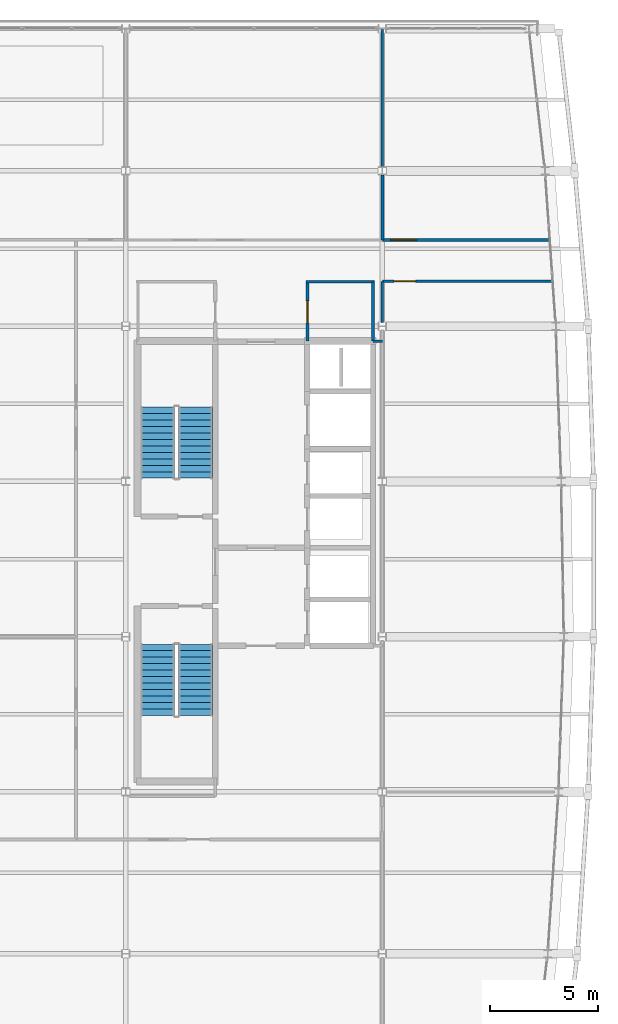
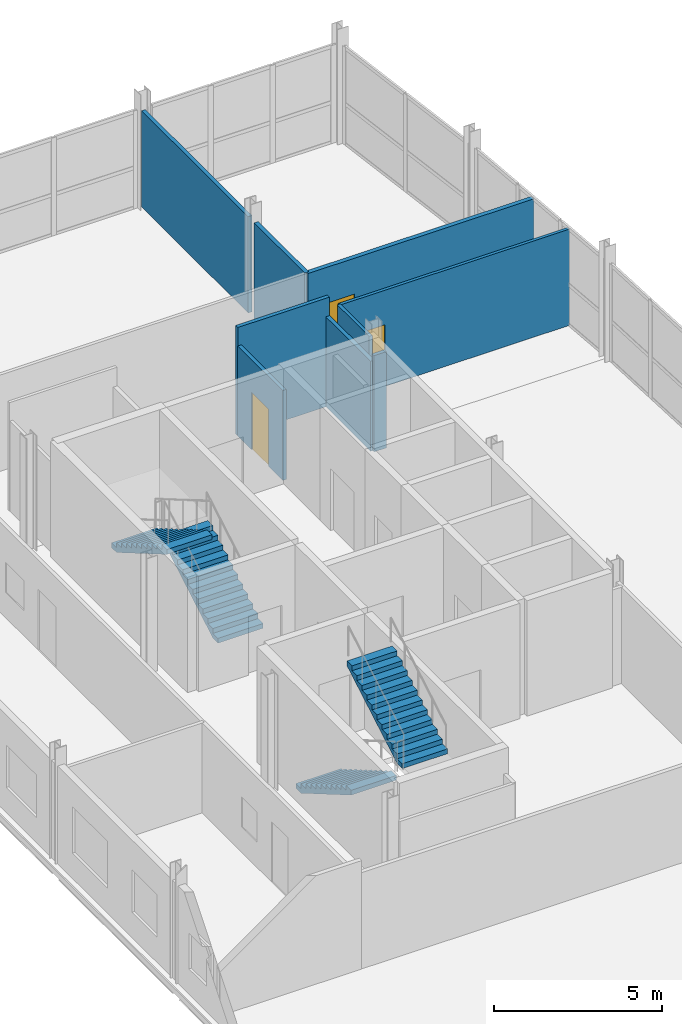
# One storey, part 18 of 23: 9 walls, 4 stair flights, 3 doors, 3 openings, 2 elements without a shape of their own.
"""IFC4 building model written with IfcOpenShell, lengths in metres."""

from ifc_helpers import new_model, si_unit, direction, frame, frame_2d, origin, place, context, subcontext, project, spatial, polyline, rectangle, outline, extrude, material, layer, layer_set, type_object, element, fill, aggregate, save


model = new_model("IFC4")

# Units and contexts
model_context = context("Model", 3, precision=1e-05, world=origin(), true_north=direction((0.0, 1.0)))
body_context = subcontext(model_context, "Body", "Model", "MODEL_VIEW")
ifc_project = project(units=[si_unit("LENGTHUNIT", "METRE"), si_unit("AREAUNIT", "SQUARE_METRE"), si_unit("VOLUMEUNIT", "CUBIC_METRE"), si_unit("PLANEANGLEUNIT", "RADIAN"), si_unit("MASSUNIT", "GRAM", prefix="KILO")], contexts=[model_context])

# Site, building, storey
site_placement = place(None, origin())
site = spatial("IfcSite", under=ifc_project, at=site_placement, CompositionType="ELEMENT")
building_placement = place(site_placement, origin())
building = spatial("IfcBuilding", under=site, at=building_placement, Name="Quillay Park Conservatory", CompositionType="ELEMENT")
storey_placement = place(building_placement, frame((0.0, 0.0, 22.5)))
storey = spatial("IfcBuildingStorey", under=building, at=storey_placement, Name="L05", CompositionType="ELEMENT", Elevation=22.5)

# Wall, opening, door
ifc_material_1 = material(Name="Steel-Stud Acoustic Gypsum Board Partition", Category="steel")
ifc_layer_1 = layer(ifc_material_1, 0.10498046875)
ifc_layer_set_1 = layer_set([ifc_layer_1], Name="ACOUSTIC GYPSUM PARTITION 105 (Steel-Stud Acoustic Gypsum Board Partition)")
wall_type_1 = type_object("IfcWallType", Name="ACOUSTIC GYPSUM PARTITION 105", PredefinedType="PARTITIONING", material=ifc_layer_set_1)
wall_1_placement = place(storey_placement, frame((19.75, 101.679931640625, 0.0), z_axis=(0.0, 0.0, 1.0), x_axis=(1.0, 0.0, 0.0)))
wall_1 = element("IfcWall", 1, at=wall_1_placement, inside=storey, type_object=wall_type_1, Name="L05 Centrifuge and Autoclave Instrument Bay North Door Wall", PredefinedType="PARTITIONING", context=body_context, shape_type="SweptSolid", body=[
    extrude(rectangle(XDim=7.9150390625, YDim=0.10498046875, at=frame_2d((3.95751953125, 0.0))), origin(), (0.0, 0.0, 1.0), 3.507080078125),
])
opening_1_placement = place(wall_1_placement, frame((0.550048828125, 0.0, 0.0)))
opening_1 = element("IfcOpeningElement", 2, at=opening_1_placement, cuts=wall_1, Name="Opening D-RM19", PredefinedType="OPENING", context=body_context, shape_type="SweptSolid", body=[
    extrude(rectangle(XDim=1.0, YDim=2.25, at=frame_2d((0.5, 1.125))), frame((0.0, 0.052490234375, 0.0), z_axis=(0.0, -1.0, 0.0), x_axis=(1.0, 0.0, 0.0)), (0.0, 0.0, 1.0), 0.10498046875),
])
ifc_material_2 = material(Name="Thermally Broken Anodised Aluminium 6063-T6", Category="aluminium")
door_type_1 = type_object("IfcDoorType", Name="SINGLE SWING DOOR 1000 X2250", OperationType="NOTDEFINED", PredefinedType="DOOR", material=ifc_material_2)
door_1_placement = place(opening_1_placement, origin())
door_1 = element("IfcDoor", 3, at=door_1_placement, inside=storey, type_object=door_type_1, Name="L05 Door to Centrifuge and Autoclave Instrument Bay", OperationType="SINGLE_SWING_LEFT", OverallHeight=2.25, OverallWidth=1.0, PredefinedType="DOOR", context=body_context, shape_type="SweptSolid", body=[
    extrude(rectangle(XDim=1.0, YDim=2.25, at=frame_2d((0.5, 1.125))), frame((0.0, 0.02490234375, 0.0), z_axis=(0.0, -1.0, 0.0), x_axis=(1.0, 0.0, 0.0)), (0.0, 0.0, 1.0), 0.050048828125),
])
fill(opening_1, door_1)

# Walls
ifc_material_3 = material(Name="Steel-Stud Acoustic Gypsum Board Partition", Category="steel")
ifc_layer_2 = layer(ifc_material_3, 0.110107421875)
ifc_layer_set_2 = layer_set([ifc_layer_2], Name="ACOUSTIC GYPSUM PARTITION 110 (Steel-Stud Acoustic Gypsum Board Partition)")
wall_type_2 = type_object("IfcWallType", Name="ACOUSTIC GYPSUM PARTITION 110", PredefinedType="PARTITIONING", material=ifc_layer_set_2)
wall_2_placement = place(storey_placement, frame((19.75, 99.781982421875, 0.0), z_axis=(0.0, 0.0, 1.0), x_axis=(0.0, 1.0, 0.0)))
element("IfcWall", 4, at=wall_2_placement, inside=storey, type_object=wall_type_2, Name="L05 Centrifuge and Autoclave Instrument Bay West Wall 4", PredefinedType="PARTITIONING", context=body_context, shape_type="SweptSolid", body=[
    extrude(rectangle(XDim=1.89794921875, YDim=0.110107421875, at=frame_2d((0.948974609375, 0.0))), origin(), (0.0, 0.0, 1.0), 3.507080078125),
])
ifc_material_4 = material(Name="Steel-Stud Acoustic Gypsum Board Partition", Category="steel")
ifc_layer_3 = layer(ifc_material_4, 0.1201171875)
ifc_layer_set_3 = layer_set([ifc_layer_3], Name="ACOUSTIC GYPSUM PARTITION 120 (Steel-Stud Acoustic Gypsum Board Partition)")
wall_type_3 = type_object("IfcWallType", Name="ACOUSTIC GYPSUM PARTITION 120", PredefinedType="PARTITIONING", material=ifc_layer_set_3)
wall_3_placement = place(storey_placement, frame((19.75, 98.89990234375, 0.0), z_axis=(0.0, 0.0, 1.0), x_axis=(-1.0, 0.0, 0.0)))
element("IfcWall", 5, at=wall_3_placement, inside=storey, type_object=wall_type_3, Name="L05 Core North-East Closure", PredefinedType="PARTITIONING", context=body_context, shape_type="SweptSolid", body=[
    extrude(rectangle(XDim=0.429931640625, YDim=0.1201171875, at=frame_2d((0.21484375, 0.0))), origin(), (0.0, 0.0, 1.0), 3.507080078125),
])

# Wall, opening, door
ifc_material_5 = material(Name="Steel-Stud Acoustic Gypsum Board Partition", Category="steel")
ifc_layer_4 = layer(ifc_material_5, 0.125)
ifc_layer_set_4 = layer_set([ifc_layer_4], Name="ACOUSTIC GYPSUM PARTITION 125 (Steel-Stud Acoustic Gypsum Board Partition)")
wall_type_4 = type_object("IfcWallType", Name="ACOUSTIC GYPSUM PARTITION 125", PredefinedType="PARTITIONING", material=ifc_layer_set_4)
wall_4_placement = place(storey_placement, frame((16.280029296875, 98.919921875, 0.0), z_axis=(0.0, 0.0, 1.0), x_axis=(0.0, 1.0, 0.0)))
wall_4 = element("IfcWall", 6, at=wall_4_placement, inside=storey, type_object=wall_type_4, Name="L05 Washroom Door Wall", PredefinedType="PARTITIONING", context=body_context, shape_type="SweptSolid", body=[
    extrude(rectangle(XDim=2.68017578125, YDim=0.125, at=frame_2d((1.340087890625, 0.0))), origin(), (0.0, 0.0, 1.0), 3.277099609375),
])
opening_2_placement = place(wall_4_placement, frame((0.830078125, 0.0, 0.0)))
opening_2 = element("IfcOpeningElement", 7, at=opening_2_placement, cuts=wall_4, Name="Opening D-RM33", PredefinedType="OPENING", context=body_context, shape_type="SweptSolid", body=[
    extrude(rectangle(XDim=1.02001953125, YDim=2.080078125, at=frame_2d((0.510009765625, 1.0400390625))), frame((0.0, 0.0625, 0.0), z_axis=(0.0, -1.0, 0.0), x_axis=(1.0, 0.0, 0.0)), (0.0, 0.0, 1.0), 0.125),
])
ifc_material_6 = material(Name="Thermally Broken Anodised Aluminium 6063-T6", Category="aluminium")
door_type_2 = type_object("IfcDoorType", Name="SINGLE SWING DOOR 1020 X2080", OperationType="NOTDEFINED", PredefinedType="DOOR", material=ifc_material_6)
door_2_placement = place(opening_2_placement, origin())
door_2 = element("IfcDoor", 8, at=door_2_placement, inside=storey, type_object=door_type_2, Name="L05 Door to L05 Restroom and Washroom", OperationType="SINGLE_SWING_RIGHT", OverallHeight=2.080078125, OverallWidth=1.02001953125, PredefinedType="DOOR", context=body_context, shape_type="SweptSolid", body=[
    extrude(rectangle(XDim=1.02001953125, YDim=2.080078125, at=frame_2d((0.510009765625, 1.0400390625))), frame((0.0, 0.02490234375, 0.0), z_axis=(0.0, -1.0, 0.0), x_axis=(1.0, 0.0, 0.0)), (0.0, 0.0, 1.0), 0.050048828125),
])
fill(opening_2, door_2)

# Walls
ifc_material_7 = material(Name="Steel-Stud Acoustic Gypsum Board Partition", Category="steel")
ifc_layer_5 = layer(ifc_material_7, 0.1298828125)
ifc_layer_set_5 = layer_set([ifc_layer_5], Name="ACOUSTIC GYPSUM PARTITION 130 (Steel-Stud Acoustic Gypsum Board Partition)")
wall_type_5 = type_object("IfcWallType", Name="ACOUSTIC GYPSUM PARTITION 130", PredefinedType="PARTITIONING", material=ifc_layer_set_5)
wall_5_placement = place(storey_placement, frame((19.3798828125, 101.659912109375, 0.0), z_axis=(0.0, 0.0, 1.0), x_axis=(-1.0, 0.0, 0.0)))
element("IfcWall", 9, at=wall_5_placement, inside=storey, type_object=wall_type_5, Name="L05 Washroom North Wall", PredefinedType="PARTITIONING", context=body_context, shape_type="SweptSolid", body=[
    extrude(rectangle(XDim=3.159912109375, YDim=0.1298828125, at=frame_2d((1.580078125, 0.0))), origin(), (0.0, 0.0, 1.0), 3.949951171875),
])
wall_6_placement = place(storey_placement, frame((19.75, 113.35009765625, 0.0), z_axis=(0.0, 0.0, 1.0), x_axis=(0.0, -1.0, 0.0)))
element("IfcWall", 10, at=wall_6_placement, inside=storey, type_object=wall_type_5, Name="L05 North Divider 19 N", PredefinedType="PARTITIONING", context=body_context, shape_type="SweptSolid", body=[
    extrude(rectangle(XDim=6.369140625, YDim=0.1298828125, at=frame_2d((3.1845703125, 0.0))), origin(), (0.0, 0.0, 1.0), 3.507080078125),
])
ifc_material_8 = material(Name="Steel-Stud Acoustic Gypsum Board Partition", Category="steel")
ifc_layer_6 = layer(ifc_material_8, 0.139892578125)
ifc_layer_set_6 = layer_set([ifc_layer_6], Name="ACOUSTIC GYPSUM PARTITION 140 (Steel-Stud Acoustic Gypsum Board Partition)")
wall_type_6 = type_object("IfcWallType", Name="ACOUSTIC GYPSUM PARTITION 140", PredefinedType="PARTITIONING", material=ifc_layer_set_6)
wall_7_placement = place(storey_placement, frame((19.320068359375, 98.919921875, 0.0), z_axis=(0.0, 0.0, 1.0), x_axis=(0.0, 1.0, 0.0)))
element("IfcWall", 11, at=wall_7_placement, inside=storey, type_object=wall_type_6, Name="L05 Washroom East Wall", PredefinedType="PARTITIONING", context=body_context, shape_type="SweptSolid", body=[
    extrude(rectangle(XDim=2.739990234375, YDim=0.139892578125, at=frame_2d((1.3701171875, 0.0))), origin(), (0.0, 0.0, 1.0), 3.277099609375),
])
wall_8_placement = place(storey_placement, frame((19.75, 106.618896484375, 0.0), z_axis=(0.0, 0.0, 1.0), x_axis=(0.0, -1.0, 0.0)))
element("IfcWall", 12, at=wall_8_placement, inside=storey, type_object=wall_type_6, Name="L05 North Divider 19 S", PredefinedType="PARTITIONING", context=body_context, shape_type="SweptSolid", body=[
    extrude(rectangle(XDim=3.018798828125, YDim=0.139892578125, at=frame_2d((1.50927734375, 0.0))), origin(), (0.0, 0.0, 1.0), 3.507080078125),
])

# Wall, opening, door
ifc_material_9 = material(Name="Steel-Stud Acoustic Gypsum Board Partition", Category="steel")
ifc_layer_7 = layer(ifc_material_9, 0.14990234375)
ifc_layer_set_7 = layer_set([ifc_layer_7], Name="ACOUSTIC GYPSUM PARTITION 150 (Steel-Stud Acoustic Gypsum Board Partition)")
wall_type_7 = type_object("IfcWallType", Name="ACOUSTIC GYPSUM PARTITION 150", PredefinedType="PARTITIONING", material=ifc_layer_set_7)
wall_9_placement = place(storey_placement, frame((19.75, 103.60009765625, 0.0), z_axis=(0.0, 0.0, 1.0), x_axis=(1.0, 0.0, 0.0)))
wall_9 = element("IfcWall", 13, at=wall_9_placement, inside=storey, type_object=wall_type_7, Name="L05 Sterile Agar Media Preparation Room South Wall", PredefinedType="PARTITIONING", context=body_context, shape_type="SweptSolid", body=[
    extrude(rectangle(XDim=7.7900390625, YDim=0.14990234375, at=frame_2d((3.89501953125, 0.0))), origin(), (0.0, 0.0, 1.0), 3.507080078125),
])
opening_3_placement = place(wall_9_placement, frame((0.389892578125, 0.0, 0.0)))
opening_3 = element("IfcOpeningElement", 14, at=opening_3_placement, cuts=wall_9, Name="Opening D-RM18", PredefinedType="OPENING", context=body_context, shape_type="SweptSolid", body=[
    extrude(rectangle(XDim=1.219970703125, YDim=2.199951171875, at=frame_2d((0.60986328125, 1.10009765625))), frame((0.0, 0.074951171875, 0.0), z_axis=(0.0, -1.0, 0.0), x_axis=(1.0, 0.0, 0.0)), (0.0, 0.0, 1.0), 0.14990234375),
])
ifc_material_10 = material(Name="Thermally Broken Anodised Aluminium 6063-T6", Category="aluminium")
door_type_3 = type_object("IfcDoorType", Name="SINGLE SWING DOOR 1220 X2200", OperationType="NOTDEFINED", PredefinedType="DOOR", material=ifc_material_10)
door_3_placement = place(opening_3_placement, origin())
door_3 = element("IfcDoor", 15, at=door_3_placement, inside=storey, type_object=door_type_3, Name="L05 Door to Sterile Agar Media Preparation Room", OperationType="SINGLE_SWING_RIGHT", OverallHeight=2.199951171875, OverallWidth=1.219970703125, PredefinedType="DOOR", context=body_context, shape_type="SweptSolid", body=[
    extrude(rectangle(XDim=1.219970703125, YDim=2.199951171875, at=frame_2d((0.60986328125, 1.10009765625))), frame((0.0, 0.02490234375, 0.0), z_axis=(0.0, -1.0, 0.0), x_axis=(1.0, 0.0, 0.0)), (0.0, 0.0, 1.0), 0.050048828125),
])
fill(opening_3, door_3)

# Stair, stair flights
ifc_material_11 = material(Name="Concrete C35/45 (NCh170 Concrete C35/45)", Category="concrete")
stair_type = type_object("IfcStairType", Name="ENCLOSED DOG LEG STAIR 4200", PredefinedType="HALF_TURN_STAIR", material=ifc_material_11)
stair_1_placement = place(storey_placement, origin())
stair_1 = element("IfcStair", 16, at=stair_1_placement, inside=storey, type_object=stair_type, Name="L05 Tower Protected Exit Stair 1", PredefinedType="HALF_TURN_STAIR")
ifc_material_12 = material(Name="Concrete C35/45 (NCh170 Concrete C35/45)", Category="concrete")
stair_flight_type = type_object("IfcStairFlightType", Name="STRAIGHT STAIR FLIGHT 4200", PredefinedType="STRAIGHT", material=ifc_material_12)
stair_flight_1_placement = place(storey_placement, frame((11.090087890625, 92.550048828125, 0.0), z_axis=(0.0, 0.0, 1.0), x_axis=(0.0, 1.0, 0.0)))
stair_flight_1 = element("IfcStairFlight", 17, at=stair_flight_1_placement, type_object=stair_flight_type, Name="ST-T1 flight 1", NumberOfRisers=12, NumberOfTreads=11, PredefinedType="STRAIGHT", RiserHeight=0.175, TreadLength=0.3, context=body_context, shape_type="SweptSolid", body=[
    extrude(outline(polyline([(0.0, 0.0), (0.0, 0.175048828125), (0.300048828125, 0.175048828125), (0.300048828125, 0.35009765625), (0.60009765625, 0.35009765625), (0.60009765625, 0.52490234375), (0.89990234375, 0.52490234375), (0.89990234375, 0.699951171875), (1.199951171875, 0.699951171875), (1.199951171875, 0.875), (1.5, 0.875), (1.5, 1.050048828125), (1.800048828125, 1.050048828125), (1.800048828125, 1.22509765625), (2.10009765625, 1.22509765625), (2.10009765625, 1.39990234375), (2.39990234375, 1.39990234375), (2.39990234375, 1.574951171875), (2.699951171875, 1.574951171875), (2.699951171875, 1.75), (3.0, 1.75), (3.0, 1.925048828125), (3.300048828125, 1.925048828125), (3.300048828125, 2.10009765625), (3.300048828125, 1.75146484375), (0.297607421875, 0.0), (0.0, 0.0)])), frame((0.0, 0.780029296875, 0.0), z_axis=(0.0, -1.0, 0.0), x_axis=(1.0, 0.0, 0.0)), (0.0, 0.0, 1.0), 1.56005859375),
])
stair_flight_2_placement = place(storey_placement, frame((9.330078125, 95.85009765625, 2.10009765625), z_axis=(0.0, 0.0, 1.0), x_axis=(0.0, -1.0, 0.0)))
stair_flight_2 = element("IfcStairFlight", 18, at=stair_flight_2_placement, type_object=stair_flight_type, Name="ST-T1 flight 2", NumberOfRisers=12, NumberOfTreads=11, PredefinedType="STRAIGHT", RiserHeight=0.175, TreadLength=0.3, context=body_context, shape_type="SweptSolid", body=[
    extrude(outline(polyline([(0.0, 0.0), (0.0, 0.175048828125), (0.300048828125, 0.175048828125), (0.300048828125, 0.35009765625), (0.60009765625, 0.35009765625), (0.60009765625, 0.52490234375), (0.89990234375, 0.52490234375), (0.89990234375, 0.699951171875), (1.199951171875, 0.699951171875), (1.199951171875, 0.875), (1.5, 0.875), (1.5, 1.050048828125), (1.800048828125, 1.050048828125), (1.800048828125, 1.22509765625), (2.10009765625, 1.22509765625), (2.10009765625, 1.39990234375), (2.39990234375, 1.39990234375), (2.39990234375, 1.574951171875), (2.699951171875, 1.574951171875), (2.699951171875, 1.75), (3.0, 1.75), (3.0, 1.925048828125), (3.300048828125, 1.925048828125), (3.300048828125, 2.10009765625), (3.300048828125, 1.75146484375), (0.297607421875, 0.0), (0.0, 0.0)])), frame((0.0, 0.780029296875, 0.0), z_axis=(0.0, -1.0, 0.0), x_axis=(1.0, 0.0, 0.0)), (0.0, 0.0, 1.0), 1.56005859375),
])
aggregate(stair_1, [stair_flight_1, stair_flight_2])

stair_2_placement = place(storey_placement, origin())
stair_2 = element("IfcStair", 19, at=stair_2_placement, inside=storey, type_object=stair_type, Name="L05 Tower Protected Exit Stair 2", PredefinedType="HALF_TURN_STAIR")
stair_flight_3_placement = place(storey_placement, frame((9.330078125, 84.85009765625, 0.0), z_axis=(0.0, 0.0, 1.0), x_axis=(0.0, -1.0, 0.0)))
stair_flight_3 = element("IfcStairFlight", 20, at=stair_flight_3_placement, type_object=stair_flight_type, Name="ST-T2 flight 1", NumberOfRisers=12, NumberOfTreads=11, PredefinedType="STRAIGHT", RiserHeight=0.175, TreadLength=0.3, context=body_context, shape_type="SweptSolid", body=[
    extrude(outline(polyline([(0.0, 0.0), (0.0, 0.175048828125), (0.300048828125, 0.175048828125), (0.300048828125, 0.35009765625), (0.60009765625, 0.35009765625), (0.60009765625, 0.52490234375), (0.89990234375, 0.52490234375), (0.89990234375, 0.699951171875), (1.199951171875, 0.699951171875), (1.199951171875, 0.875), (1.5, 0.875), (1.5, 1.050048828125), (1.800048828125, 1.050048828125), (1.800048828125, 1.22509765625), (2.10009765625, 1.22509765625), (2.10009765625, 1.39990234375), (2.39990234375, 1.39990234375), (2.39990234375, 1.574951171875), (2.699951171875, 1.574951171875), (2.699951171875, 1.75), (3.0, 1.75), (3.0, 1.925048828125), (3.300048828125, 1.925048828125), (3.300048828125, 2.10009765625), (3.300048828125, 1.75146484375), (0.297607421875, 0.0), (0.0, 0.0)])), frame((0.0, 0.780029296875, 0.0), z_axis=(0.0, -1.0, 0.0), x_axis=(1.0, 0.0, 0.0)), (0.0, 0.0, 1.0), 1.56005859375),
])
stair_flight_4_placement = place(storey_placement, frame((11.090087890625, 81.550048828125, 2.10009765625), z_axis=(0.0, 0.0, 1.0), x_axis=(0.0, 1.0, 0.0)))
stair_flight_4 = element("IfcStairFlight", 21, at=stair_flight_4_placement, type_object=stair_flight_type, Name="ST-T2 flight 2", NumberOfRisers=12, NumberOfTreads=11, PredefinedType="STRAIGHT", RiserHeight=0.175, TreadLength=0.3, context=body_context, shape_type="SweptSolid", body=[
    extrude(outline(polyline([(0.0, 0.0), (0.0, 0.175048828125), (0.300048828125, 0.175048828125), (0.300048828125, 0.35009765625), (0.60009765625, 0.35009765625), (0.60009765625, 0.52490234375), (0.89990234375, 0.52490234375), (0.89990234375, 0.699951171875), (1.199951171875, 0.699951171875), (1.199951171875, 0.875), (1.5, 0.875), (1.5, 1.050048828125), (1.800048828125, 1.050048828125), (1.800048828125, 1.22509765625), (2.10009765625, 1.22509765625), (2.10009765625, 1.39990234375), (2.39990234375, 1.39990234375), (2.39990234375, 1.574951171875), (2.699951171875, 1.574951171875), (2.699951171875, 1.75), (3.0, 1.75), (3.0, 1.925048828125), (3.300048828125, 1.925048828125), (3.300048828125, 2.10009765625), (3.300048828125, 1.75146484375), (0.297607421875, 0.0), (0.0, 0.0)])), frame((0.0, 0.780029296875, 0.0), z_axis=(0.0, -1.0, 0.0), x_axis=(1.0, 0.0, 0.0)), (0.0, 0.0, 1.0), 1.56005859375),
])
aggregate(stair_2, [stair_flight_3, stair_flight_4])

save(model, "model.ifc")
